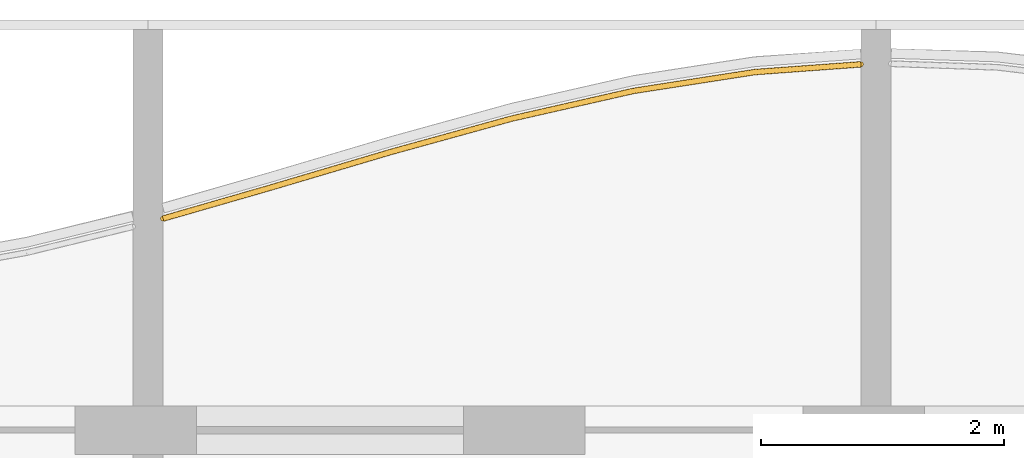
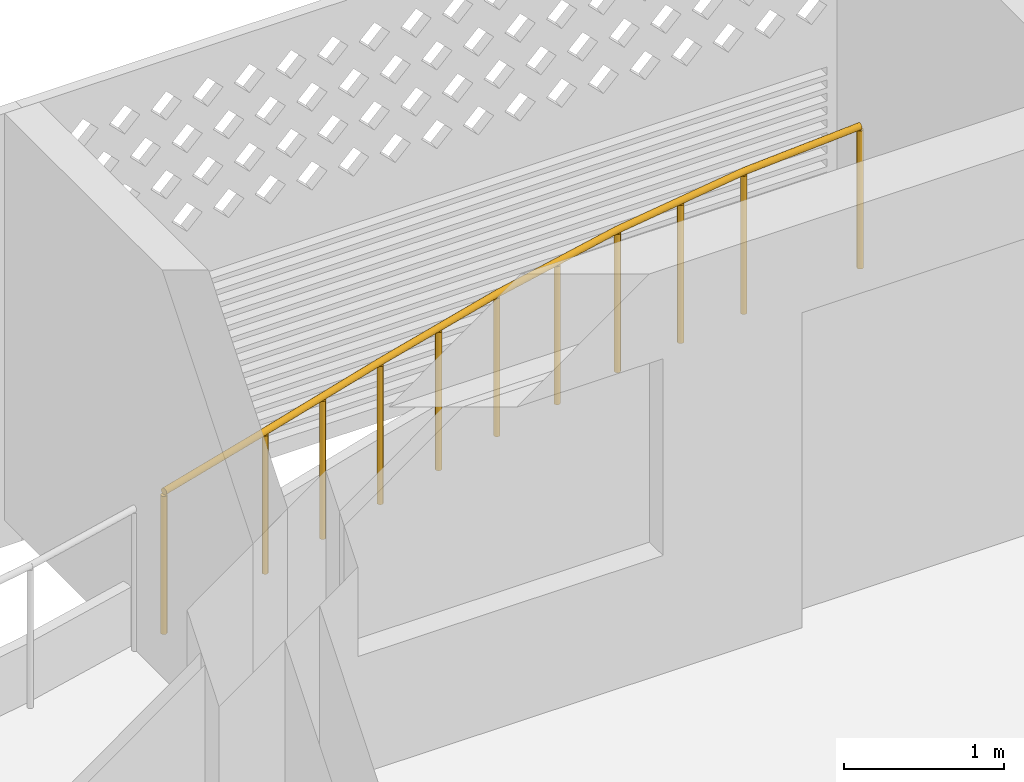
# One storey, part 20 of 29: 1 railing.
"""IFC4 building model written with IfcOpenShell, lengths in metres."""

from ifc_helpers import new_model, si_unit, direction, frame, origin, origin_2d, place, context, subcontext, project, spatial, circle, extrude, material, type_object, element, save


model = new_model("IFC4")

# Units and contexts
model_context = context("Model", 3, precision=1e-05, world=origin(), true_north=direction((0.0, 1.0)))
body_context = subcontext(model_context, "Body", "Model", "MODEL_VIEW")
ifc_project = project(units=[si_unit("LENGTHUNIT", "METRE"), si_unit("AREAUNIT", "SQUARE_METRE"), si_unit("VOLUMEUNIT", "CUBIC_METRE"), si_unit("PLANEANGLEUNIT", "RADIAN"), si_unit("MASSUNIT", "GRAM", prefix="KILO")], contexts=[model_context])

# Site, building, storey
site_placement = place(None, origin())
site = spatial("IfcSite", under=ifc_project, at=site_placement, CompositionType="ELEMENT")
building_placement = place(site_placement, origin())
building = spatial("IfcBuilding", under=site, at=building_placement, Name="Poui Terraces", CompositionType="ELEMENT")
storey_placement = place(building_placement, frame((0.0, 0.0, 234.60009765625)))
storey = spatial("IfcBuildingStorey", under=building, at=storey_placement, Name="L65", CompositionType="ELEMENT", Elevation=234.60009765625)

# Railing
ifc_material = material(Name="Painted steel fretwork", Category="steel")
railing_type = type_object("IfcRailingType", Name="BALCONY GUARD 1100", PredefinedType="GUARDRAIL", material=ifc_material)
railing_placement = place(storey_placement, frame((42.125, 42.94384765625, 0.0)))
element("IfcRailing", 1, at=railing_placement, inside=storey, type_object=railing_type, Name="BALCONY GUARD", PredefinedType="GUARDRAIL", context=body_context, shape_type="SweptSolid", body=[
    extrude(circle(Radius=0.02392578125, at=origin_2d()), frame((0.0, 0.0, 1.076171875), z_axis=(0.960955301601, 0.276703647113, 0.0), x_axis=(-0.276703647113, 0.960955301601, 0.0)), (0.0, 0.0, 1.0), 0.91064453125),
    extrude(circle(Radius=0.02392578125, at=origin_2d()), frame((0.875, 0.251953125, 1.076171875), z_axis=(0.958774495191, 0.284168026651, 0.0), x_axis=(-0.284168026651, 0.958774495191, 0.0)), (0.0, 0.0, 1.0), 1.04296875),
    extrude(circle(Radius=0.02392578125, at=origin_2d()), frame((1.875, 0.54833984375, 1.076171875), z_axis=(0.963928100541, 0.26616276409, 0.0), x_axis=(-0.26616276409, 0.963928100541, 0.0)), (0.0, 0.0, 1.0), 1.037353515625),
    extrude(circle(Radius=0.02392578125, at=origin_2d()), frame((2.875, 0.824462890625, 1.076171875), z_axis=(0.975128178395, 0.221641683127, 0.0), x_axis=(-0.221641683127, 0.975128178395, 0.0)), (0.0, 0.0, 1.0), 1.025390625),
    extrude(circle(Radius=0.02392578125, at=origin_2d()), frame((3.875, 1.0517578125, 1.076171875), z_axis=(0.9881587723, 0.153434809371, 0.0), x_axis=(-0.153434809371, 0.9881587723, 0.0)), (0.0, 0.0, 1.0), 1.011962890625),
    extrude(circle(Radius=0.02392578125, at=origin_2d()), frame((4.875, 1.20703125, 1.076171875), z_axis=(0.997358857639, 0.072631323059, 0.0), x_axis=(-0.072631323059, 0.997358857639, 0.0)), (0.0, 0.0, 1.0), 0.877197265625),
    extrude(circle(Radius=0.02099609375, at=origin_2d()), origin(), (0.0, 0.0, 1.0), 1.052001953125),
    extrude(circle(Radius=0.02099609375, at=origin_2d()), frame((0.875, 0.251953125, 0.0)), (0.0, 0.0, 1.0), 1.052001953125),
    extrude(circle(Radius=0.02099609375, at=origin_2d()), frame((1.375, 0.400146484375, 0.0)), (0.0, 0.0, 1.0), 1.052001953125),
    extrude(circle(Radius=0.02099609375, at=origin_2d()), frame((1.875, 0.54833984375, 0.0)), (0.0, 0.0, 1.0), 1.052001953125),
    extrude(circle(Radius=0.02099609375, at=origin_2d()), frame((2.375, 0.6865234375, 0.0)), (0.0, 0.0, 1.0), 1.052001953125),
    extrude(circle(Radius=0.02099609375, at=origin_2d()), frame((2.875, 0.824462890625, 0.0)), (0.0, 0.0, 1.0), 1.052001953125),
    extrude(circle(Radius=0.02099609375, at=origin_2d()), frame((3.375, 0.93798828125, 0.0)), (0.0, 0.0, 1.0), 1.052001953125),
    extrude(circle(Radius=0.02099609375, at=origin_2d()), frame((3.875, 1.0517578125, 0.0)), (0.0, 0.0, 1.0), 1.052001953125),
    extrude(circle(Radius=0.02099609375, at=origin_2d()), frame((4.375, 1.12939453125, 0.0)), (0.0, 0.0, 1.0), 1.052001953125),
    extrude(circle(Radius=0.02099609375, at=origin_2d()), frame((4.875, 1.20703125, 0.0)), (0.0, 0.0, 1.0), 1.052001953125),
    extrude(circle(Radius=0.02099609375, at=origin_2d()), frame((5.75, 1.270751953125, 0.0)), (0.0, 0.0, 1.0), 1.052001953125),
])

save(model, "model.ifc")
